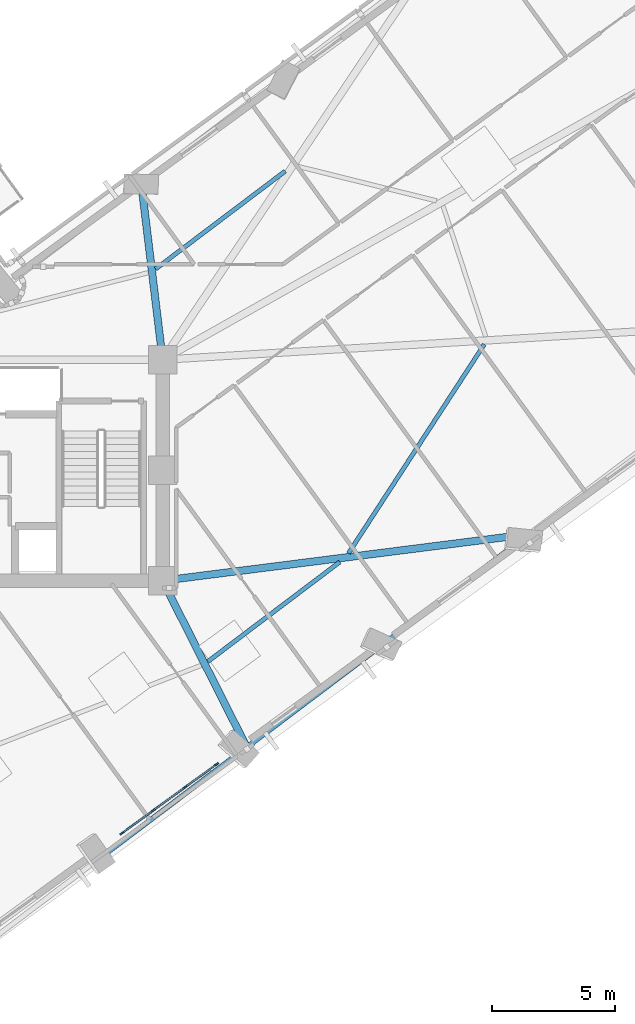
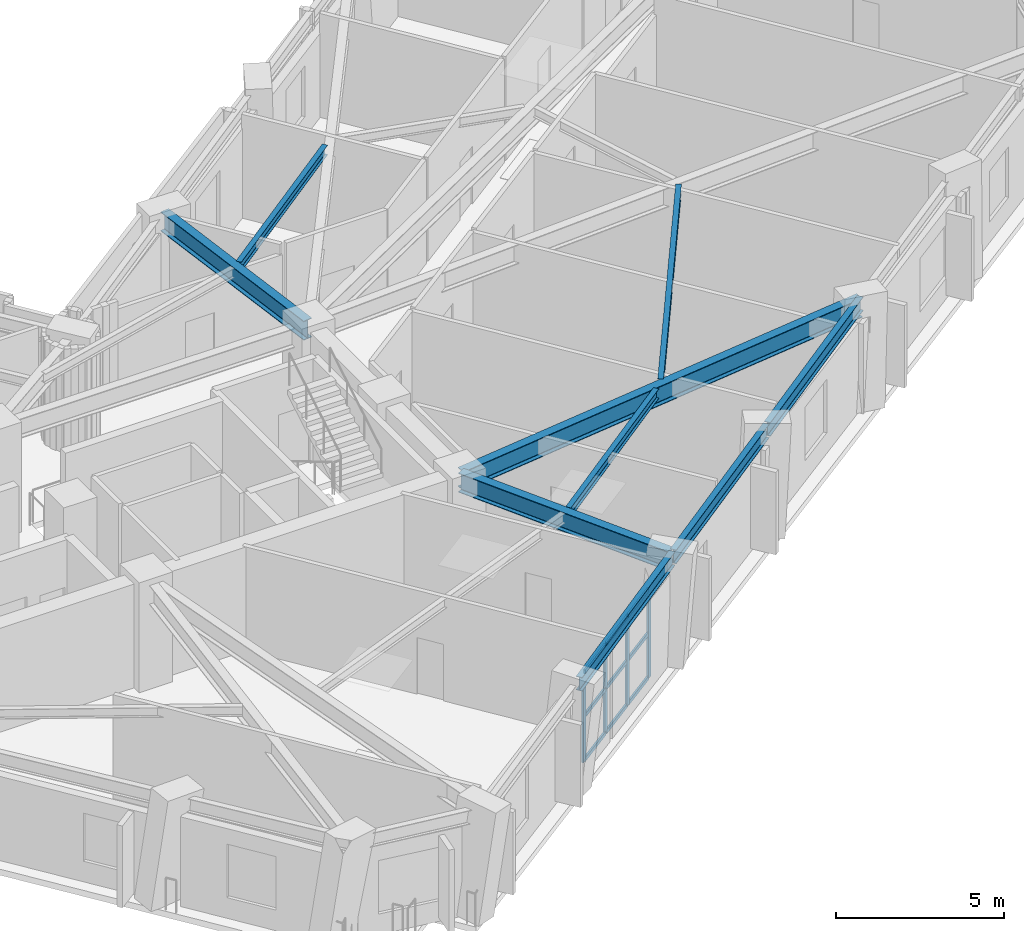
# One storey, part 2 of 14: 13 members, 9 beams, 1 element without a shape of its own.
"""IFC4 building model written with IfcOpenShell, lengths in metres."""

from ifc_helpers import new_model, si_unit, direction, frame, origin, origin_2d, place, context, subcontext, project, spatial, rectangle, i_section, extrude, material, material_profile, profile_set, type_object, element, aggregate, save


model = new_model("IFC4")

# Units and contexts
model_context = context("Model", 3, precision=1e-05, world=origin(), true_north=direction((0.0, 1.0)))
body_context = subcontext(model_context, "Body", "Model", "MODEL_VIEW")
ifc_project = project(units=[si_unit("LENGTHUNIT", "METRE"), si_unit("AREAUNIT", "SQUARE_METRE"), si_unit("VOLUMEUNIT", "CUBIC_METRE"), si_unit("PLANEANGLEUNIT", "RADIAN"), si_unit("MASSUNIT", "GRAM", prefix="KILO")], contexts=[model_context])

# Site, building, storey
site_placement = place(None, origin())
site = spatial("IfcSite", under=ifc_project, at=site_placement, CompositionType="ELEMENT")
building_placement = place(site_placement, origin())
building = spatial("IfcBuilding", under=site, at=building_placement, Name="Gaonmaruhae Medical Tower", CompositionType="ELEMENT")
storey_placement = place(building_placement, frame((0.0, 0.0, 177.800048828125)))
storey = spatial("IfcBuildingStorey", under=building, at=storey_placement, Name="L42", CompositionType="ELEMENT", Elevation=177.800048828125)

# Curtain wall, members
ifc_material_1 = material(Name="Anodised aluminium and Low-E double glazing", Category="aluminium")
curtain_wall_type = type_object("IfcCurtainWallType", Name="CW-S3 Spiralling Dayroom Ribbon Curtain Wall", PredefinedType="NOTDEFINED", material=ifc_material_1)
curtain_wall_placement = place(storey_placement, origin())
curtain_wall = element("IfcCurtainWall", 1, at=curtain_wall_placement, inside=storey, type_object=curtain_wall_type, Name="L42 Curtain Wall CW-L42-S02", PredefinedType="NOTDEFINED")
ifc_material_2 = material(Name="Anodised aluminium 6063-T6", Category="aluminium")
ifc_material_profile_1 = material_profile(ifc_material_2, rectangle(XDim=0.06494140625, YDim=0.179931640625, at=origin_2d()), Name="CWM-65x180")
ifc_profile_set_1 = profile_set([ifc_material_profile_1], Name="Anodised aluminium 6063-T6")
member_type_1 = type_object("IfcMemberType", Name="CWM-2 Tower Feature Curtain Wall Mullion (CWM-65x180)", PredefinedType="MULLION", material=ifc_profile_set_1)
member_1_placement = place(storey_placement, frame((37.796875, 0.322998046875, 0.0), z_axis=(0.0, 0.0, 1.0), x_axis=(0.589194928219, -0.807990926039, 0.0)))
member_1 = element("IfcMember", 2, at=member_1_placement, type_object=member_type_1, Name="CW-S3 mullion 1", PredefinedType="MULLION", context=body_context, shape_type="SweptSolid", body=[
    extrude(rectangle(XDim=0.06494140625, YDim=0.179931640625, at=origin_2d()), origin(), (0.0, 0.0, 1.0), 3.264892578125),
])
member_2_placement = place(storey_placement, frame((36.52001953125, -0.608154296875, 0.0), z_axis=(0.0, 0.0, 1.0), x_axis=(0.589194928219, -0.807990926039, 0.0)))
member_2 = element("IfcMember", 3, at=member_2_placement, type_object=member_type_1, Name="CW-S3 mullion 2", PredefinedType="MULLION", context=body_context, shape_type="SweptSolid", body=[
    extrude(rectangle(XDim=0.06494140625, YDim=0.179931640625, at=origin_2d()), origin(), (0.0, 0.0, 1.0), 3.264892578125),
])
member_3_placement = place(storey_placement, frame((35.216796875, -1.558349609375, 0.0), z_axis=(0.0, 0.0, 1.0), x_axis=(0.589194928219, -0.807990926039, 0.0)))
member_3 = element("IfcMember", 4, at=member_3_placement, type_object=member_type_1, Name="CW-S3 mullion 3", PredefinedType="MULLION", context=body_context, shape_type="SweptSolid", body=[
    extrude(rectangle(XDim=0.06494140625, YDim=0.179931640625, at=origin_2d()), origin(), (0.0, 0.0, 1.0), 3.264892578125),
])
member_4_placement = place(storey_placement, frame((33.93994140625, -2.489501953125, 0.0), z_axis=(0.0, 0.0, 1.0), x_axis=(0.589194928219, -0.807990926039, 0.0)))
member_4 = element("IfcMember", 5, at=member_4_placement, type_object=member_type_1, Name="CW-S3 mullion 4", PredefinedType="MULLION", context=body_context, shape_type="SweptSolid", body=[
    extrude(rectangle(XDim=0.06494140625, YDim=0.179931640625, at=origin_2d()), origin(), (0.0, 0.0, 1.0), 3.264892578125),
])
ifc_material_profile_2 = material_profile(ifc_material_2, rectangle(XDim=0.06494140625, YDim=0.139892578125, at=origin_2d()), Name="CWT-65x140")
ifc_profile_set_2 = profile_set([ifc_material_profile_2], Name="Anodised aluminium 6063-T6")
member_type_2 = type_object("IfcMemberType", Name="CWT-2 Tower Feature Curtain Wall Transom (CWT-65x140)", PredefinedType="USERDEFINED", material=ifc_profile_set_2)
member_5_placement = place(storey_placement, frame((37.7705078125, 0.3037109375, 0.032470703125), z_axis=(-0.808066654307, -0.589091064436, 0.0), x_axis=(0.589091064436, -0.808066654307, 0.0)))
member_5 = element("IfcMember", 6, at=member_5_placement, type_object=member_type_2, Name="CW-S3 transom 1.1", ObjectType="TRANSOM", PredefinedType="USERDEFINED", context=body_context, shape_type="SweptSolid", body=[
    extrude(rectangle(XDim=0.06494140625, YDim=0.139892578125, at=origin_2d()), origin(), (0.0, 0.0, 1.0), 1.51513671875),
])
member_6_placement = place(storey_placement, frame((37.7705078125, 0.3037109375, 1.632568359375), z_axis=(-0.808066654307, -0.589091064436, 0.0), x_axis=(0.589091064436, -0.808066654307, 0.0)))
member_6 = element("IfcMember", 7, at=member_6_placement, type_object=member_type_2, Name="CW-S3 transom 1.2", ObjectType="TRANSOM", PredefinedType="USERDEFINED", context=body_context, shape_type="SweptSolid", body=[
    extrude(rectangle(XDim=0.06494140625, YDim=0.139892578125, at=origin_2d()), origin(), (0.0, 0.0, 1.0), 1.51513671875),
])
member_7_placement = place(storey_placement, frame((37.7705078125, 0.3037109375, 3.232421875), z_axis=(-0.808066654307, -0.589091064436, 0.0), x_axis=(0.589091064436, -0.808066654307, 0.0)))
member_7 = element("IfcMember", 8, at=member_7_placement, type_object=member_type_2, Name="CW-S3 transom 1.3", ObjectType="TRANSOM", PredefinedType="USERDEFINED", context=body_context, shape_type="SweptSolid", body=[
    extrude(rectangle(XDim=0.06494140625, YDim=0.139892578125, at=origin_2d()), origin(), (0.0, 0.0, 1.0), 1.51513671875),
])
member_8_placement = place(storey_placement, frame((36.49365234375, -0.627197265625, 0.032470703125), z_axis=(-0.807916786346, -0.589296586058, 0.0), x_axis=(0.589296586058, -0.807916786346, 0.0)))
member_8 = element("IfcMember", 9, at=member_8_placement, type_object=member_type_2, Name="CW-S3 transom 2.1", ObjectType="TRANSOM", PredefinedType="USERDEFINED", context=body_context, shape_type="SweptSolid", body=[
    extrude(rectangle(XDim=0.06494140625, YDim=0.139892578125, at=origin_2d()), origin(), (0.0, 0.0, 1.0), 1.5478515625),
])
member_9_placement = place(storey_placement, frame((36.49365234375, -0.627197265625, 1.632568359375), z_axis=(-0.807916786346, -0.589296586058, 0.0), x_axis=(0.589296586058, -0.807916786346, 0.0)))
member_9 = element("IfcMember", 10, at=member_9_placement, type_object=member_type_2, Name="CW-S3 transom 2.2", ObjectType="TRANSOM", PredefinedType="USERDEFINED", context=body_context, shape_type="SweptSolid", body=[
    extrude(rectangle(XDim=0.06494140625, YDim=0.139892578125, at=origin_2d()), origin(), (0.0, 0.0, 1.0), 1.5478515625),
])
member_10_placement = place(storey_placement, frame((36.49365234375, -0.627197265625, 3.232421875), z_axis=(-0.807916786346, -0.589296586058, 0.0), x_axis=(0.589296586058, -0.807916786346, 0.0)))
member_10 = element("IfcMember", 11, at=member_10_placement, type_object=member_type_2, Name="CW-S3 transom 2.3", ObjectType="TRANSOM", PredefinedType="USERDEFINED", context=body_context, shape_type="SweptSolid", body=[
    extrude(rectangle(XDim=0.06494140625, YDim=0.139892578125, at=origin_2d()), origin(), (0.0, 0.0, 1.0), 1.5478515625),
])
member_11_placement = place(storey_placement, frame((35.190673828125, -1.57763671875, 0.032470703125), z_axis=(-0.808066654307, -0.589091064436, 0.0), x_axis=(0.589091064436, -0.808066654307, 0.0)))
member_11 = element("IfcMember", 12, at=member_11_placement, type_object=member_type_2, Name="CW-S3 transom 3.1", ObjectType="TRANSOM", PredefinedType="USERDEFINED", context=body_context, shape_type="SweptSolid", body=[
    extrude(rectangle(XDim=0.06494140625, YDim=0.139892578125, at=origin_2d()), origin(), (0.0, 0.0, 1.0), 1.51513671875),
])
member_12_placement = place(storey_placement, frame((35.190673828125, -1.57763671875, 1.632568359375), z_axis=(-0.808066654307, -0.589091064436, 0.0), x_axis=(0.589091064436, -0.808066654307, 0.0)))
member_12 = element("IfcMember", 13, at=member_12_placement, type_object=member_type_2, Name="CW-S3 transom 3.2", ObjectType="TRANSOM", PredefinedType="USERDEFINED", context=body_context, shape_type="SweptSolid", body=[
    extrude(rectangle(XDim=0.06494140625, YDim=0.139892578125, at=origin_2d()), origin(), (0.0, 0.0, 1.0), 1.51513671875),
])
member_13_placement = place(storey_placement, frame((35.190673828125, -1.57763671875, 3.232421875), z_axis=(-0.808066654307, -0.589091064436, 0.0), x_axis=(0.589091064436, -0.808066654307, 0.0)))
member_13 = element("IfcMember", 14, at=member_13_placement, type_object=member_type_2, Name="CW-S3 transom 3.3", ObjectType="TRANSOM", PredefinedType="USERDEFINED", context=body_context, shape_type="SweptSolid", body=[
    extrude(rectangle(XDim=0.06494140625, YDim=0.139892578125, at=origin_2d()), origin(), (0.0, 0.0, 1.0), 1.51513671875),
])
aggregate(curtain_wall, [member_1, member_2, member_3, member_4, member_5, member_6, member_7, member_8, member_9, member_10, member_11, member_12, member_13])

# Beams
ifc_material_3 = material(Name="Steel SM355", Category="steel")
ifc_material_profile_3 = material_profile(ifc_material_3, i_section(OverallWidth=0.175048828125, OverallDepth=0.35009765625, WebThickness=0.007080078125, FlangeThickness=0.010986328125, FilletRadius=0.012939453125, at=origin_2d()), Name="H-350x175x7x11")
ifc_profile_set_3 = profile_set([ifc_material_profile_3], Name="Steel SM355")
beam_type_1 = type_object("IfcBeamType", Name="FJ-02 Upper Zone Ward Floor Joist (H-350x175x7x11)", PredefinedType="JOIST", material=ifc_profile_set_3)
beam_1_placement = place(storey_placement, frame((37.438720703125, 4.50390625, 3.60498046875), z_axis=(0.798107901283, 0.602514545808, 0.0), x_axis=(-0.602514545808, 0.798107901283, 0.0)))
element("IfcBeam", 15, at=beam_1_placement, inside=storey, type_object=beam_type_1, Name="L42 Secondary Floor Joist FJ02", PredefinedType="JOIST", context=body_context, shape_type="SweptSolid", body=[
    extrude(i_section(OverallWidth=0.175048828125, OverallDepth=0.35009765625, WebThickness=0.007080078125, FlangeThickness=0.010986328125, FilletRadius=0.012939453125, at=origin_2d()), origin(), (0.0, 0.0, 1.0), 6.734130859375),
])
beam_2_placement = place(storey_placement, frame((43.169189453125, 8.91650390625, 3.60498046875), z_axis=(0.545096598346, 0.838373245322, 0.0), x_axis=(-0.838373245322, 0.545096598346, 0.0)))
element("IfcBeam", 16, at=beam_2_placement, inside=storey, type_object=beam_type_1, Name="L42 Secondary Floor Joist FJ03", PredefinedType="JOIST", context=body_context, shape_type="SweptSolid", body=[
    extrude(i_section(OverallWidth=0.175048828125, OverallDepth=0.35009765625, WebThickness=0.007080078125, FlangeThickness=0.010986328125, FilletRadius=0.012939453125, at=origin_2d()), origin(), (0.0, 0.0, 1.0), 10.146728515625),
])
beam_3_placement = place(storey_placement, frame((40.593017578125, 24.478515625, 3.60498046875), z_axis=(-0.798115200749, -0.602504876606, 0.0), x_axis=(0.602504876606, -0.798115200749, 0.0)))
element("IfcBeam", 17, at=beam_3_placement, inside=storey, type_object=beam_type_1, Name="L42 Secondary Floor Joist FJ06", PredefinedType="JOIST", context=body_context, shape_type="SweptSolid", body=[
    extrude(i_section(OverallWidth=0.175048828125, OverallDepth=0.35009765625, WebThickness=0.007080078125, FlangeThickness=0.010986328125, FilletRadius=0.012939453125, at=origin_2d()), origin(), (0.0, 0.0, 1.0), 6.619873046875),
])
ifc_material_4 = material(Name="Steel SM420", Category="steel")
ifc_material_profile_4 = material_profile(ifc_material_4, i_section(OverallWidth=0.300048828125, OverallDepth=0.699951171875, WebThickness=0.012939453125, FlangeThickness=0.02392578125, FilletRadius=0.01806640625, at=origin_2d()), Name="H-700x300x13x24")
ifc_profile_set_4 = profile_set([ifc_material_profile_4], Name="Steel SM420")
beam_type_2 = type_object("IfcBeamType", Name="PG-03 Zone 3 Radial Floor Girder (H-700x300x13x24)", PredefinedType="BEAM", material=ifc_profile_set_4)
beam_4_placement = place(storey_placement, frame((35.62255859375, 7.75537109375, 3.429931640625), z_axis=(0.450700408332, -0.892675272386, 0.0), x_axis=(0.892675272386, 0.450700408332, 0.0)))
element("IfcBeam", 18, at=beam_4_placement, inside=storey, type_object=beam_type_2, Name="L42 Radial Primary Girder S03", PredefinedType="BEAM", context=body_context, shape_type="SweptSolid", body=[
    extrude(i_section(OverallWidth=0.300048828125, OverallDepth=0.699951171875, WebThickness=0.012939453125, FlangeThickness=0.02392578125, FilletRadius=0.01806640625, at=origin_2d()), origin(), (0.0, 0.0, 1.0), 7.49853515625),
])
beam_5_placement = place(storey_placement, frame((35.649658203125, 7.806396484375, 3.429931640625), z_axis=(0.992044813527, 0.125885217375, 0.0), x_axis=(-0.125885217375, 0.992044813527, 0.0)))
element("IfcBeam", 19, at=beam_5_placement, inside=storey, type_object=beam_type_2, Name="L42 Radial Primary Girder S05", PredefinedType="BEAM", context=body_context, shape_type="SweptSolid", body=[
    extrude(i_section(OverallWidth=0.300048828125, OverallDepth=0.699951171875, WebThickness=0.012939453125, FlangeThickness=0.02392578125, FilletRadius=0.01806640625, at=origin_2d()), origin(), (0.0, 0.0, 1.0), 14.937255859375),
])
beam_6_placement = place(storey_placement, frame((35.593994140625, 16.849609375, 3.429931640625), z_axis=(-0.120220706789, 0.992747189197, 0.0), x_axis=(-0.992747189197, -0.120220706789, 0.0)))
element("IfcBeam", 20, at=beam_6_placement, inside=storey, type_object=beam_type_2, Name="L42 Radial Primary Girder EN03", PredefinedType="BEAM", context=body_context, shape_type="SweptSolid", body=[
    extrude(i_section(OverallWidth=0.300048828125, OverallDepth=0.699951171875, WebThickness=0.012939453125, FlangeThickness=0.02392578125, FilletRadius=0.01806640625, at=origin_2d()), origin(), (0.0, 0.0, 1.0), 7.11572265625),
])
ifc_material_profile_5 = material_profile(ifc_material_3, i_section(OverallWidth=0.199951171875, OverallDepth=0.5, WebThickness=0.010009765625, FlangeThickness=0.01611328125, FilletRadius=0.012939453125, at=origin_2d()), Name="H-500x200x10x16")
ifc_profile_set_5 = profile_set([ifc_material_profile_5], Name="Steel SM355")
beam_type_3 = type_object("IfcBeamType", Name="SP-02 Upper Perimeter Spandrel Beam (H-500x200x10x16)", PredefinedType="SPANDREL", material=ifc_profile_set_5)
for number, where, z_axis, x_axis, name in (
    (21, (33.310302734375, -3.297119140625, 3.530029296875), (0.798103284433, 0.60252066137, 0.0), (-0.60252066137, 0.798103284433, 0.0), "L42 Perimeter Spandrel Beam S02-S03"),
    (22, (39.056640625, 1.041015625, 3.530029296875), (0.798119772999, 0.602498819873, 0.0), (-0.602498819873, 0.798119772999, 0.0), "L42 Perimeter Spandrel Beam S03-S04"),
):
    element("IfcBeam", number, at=place(storey_placement, frame(where, z_axis=z_axis, x_axis=x_axis)), inside=storey, type_object=beam_type_3, Name=name, PredefinedType="SPANDREL", context=body_context, shape_type="SweptSolid", body=[
        extrude(i_section(OverallWidth=0.199951171875, OverallDepth=0.5, WebThickness=0.010009765625, FlangeThickness=0.01611328125, FilletRadius=0.012939453125, at=origin_2d()), origin(), (0.0, 0.0, 1.0), 7.1201171875),
    ])
beam_7_placement = place(storey_placement, frame((44.80322265625, 5.379150390625, 3.530029296875), z_axis=(0.798107325275, 0.602515308804, 0.0), x_axis=(-0.602515308804, 0.798107325275, 0.0)))
element("IfcBeam", 23, at=beam_7_placement, inside=storey, type_object=beam_type_3, Name="L42 Perimeter Spandrel Beam S04-S05", PredefinedType="SPANDREL", context=body_context, shape_type="SweptSolid", body=[
    extrude(i_section(OverallWidth=0.199951171875, OverallDepth=0.5, WebThickness=0.010009765625, FlangeThickness=0.01611328125, FilletRadius=0.012939453125, at=origin_2d()), origin(), (0.0, 0.0, 1.0), 7.119873046875),
])

save(model, "model.ifc")
